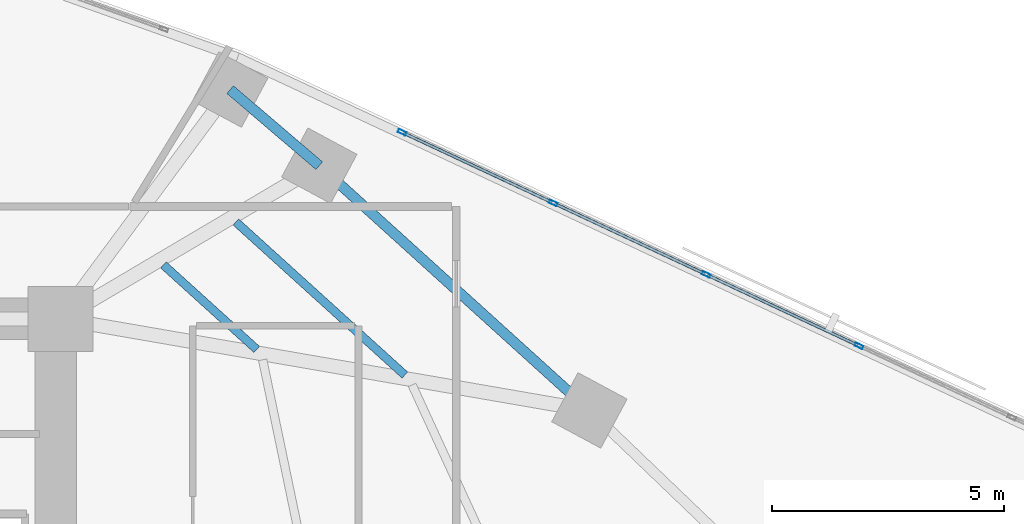
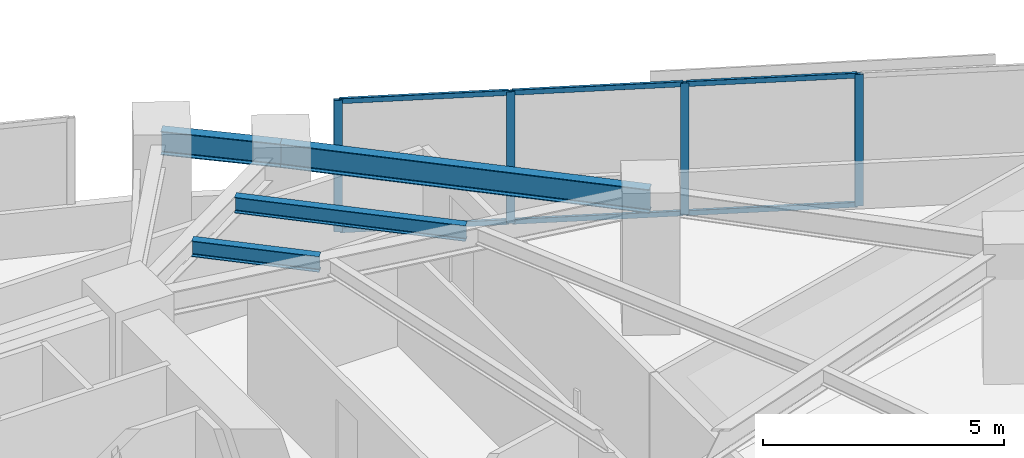
# One storey, part 4 of 16: 10 members, 4 beams, 1 element without a shape of its own.
"""IFC4 building model written with IfcOpenShell, lengths in metres."""

from ifc_helpers import new_model, si_unit, direction, frame, origin, origin_2d, place, context, subcontext, project, spatial, hollow_rectangle, i_section, extrude, material, material_profile, profile_set, type_object, element, aggregate, save


model = new_model("IFC4")

# Units and contexts
model_context = context("Model", 3, precision=1e-05, world=origin(), true_north=direction((0.0, 1.0)))
body_context = subcontext(model_context, "Body", "Model", "MODEL_VIEW")
ifc_project = project(units=[si_unit("LENGTHUNIT", "METRE"), si_unit("AREAUNIT", "SQUARE_METRE"), si_unit("VOLUMEUNIT", "CUBIC_METRE"), si_unit("PLANEANGLEUNIT", "RADIAN"), si_unit("MASSUNIT", "GRAM", prefix="KILO")], contexts=[model_context])

# Site, building, storey
site_placement = place(None, origin())
site = spatial("IfcSite", under=ifc_project, at=site_placement, CompositionType="ELEMENT")
building_placement = place(site_placement, origin())
building = spatial("IfcBuilding", under=site, at=building_placement, Name="Narakoshi Arena Tower", CompositionType="ELEMENT")
storey_placement = place(building_placement, frame((0.0, 0.0, 150.300048828125)))
storey = spatial("IfcBuildingStorey", under=building, at=storey_placement, Name="L40", CompositionType="ELEMENT", Elevation=150.300048828125)

# Beams
ifc_material_1 = material(Name="Structural steel S355J2", Category="steel")
ifc_material_profile_1 = material_profile(ifc_material_1, i_section(OverallWidth=0.219970703125, OverallDepth=0.60009765625, WebThickness=0.011962890625, FlangeThickness=0.01904296875, FilletRadius=0.02392578125, at=origin_2d()), Name="IPE600")
ifc_profile_set_1 = profile_set([ifc_material_profile_1], Name="Structural steel S355J2")
beam_type_1 = type_object("IfcBeamType", Name="BM-EDGE-600", PredefinedType="BEAM", material=ifc_profile_set_1)
beam_1_placement = place(storey_placement, frame((96.9443359375, 54.528076171875, 3.0400390625), z_axis=(-0.741140720169, 0.671349709844, 0.0), x_axis=(-0.671349709844, -0.741140720169, 0.0)))
element("IfcBeam", 1, at=beam_1_placement, inside=storey, type_object=beam_type_1, Name="L40 Perimeter Edge Girder 06", PredefinedType="BEAM", context=body_context, shape_type="SweptSolid", body=[
    extrude(i_section(OverallWidth=0.219970703125, OverallDepth=0.60009765625, WebThickness=0.011962890625, FlangeThickness=0.01904296875, FilletRadius=0.02392578125, at=origin_2d()), origin(), (0.0, 0.0, 1.0), 7.849853515625),
])
beam_2_placement = place(storey_placement, frame((91.12646484375, 59.798095703125, 3.0400390625), z_axis=(-0.760388602298, 0.649468377595, 0.0), x_axis=(-0.649468377595, -0.760388602298, 0.0)))
element("IfcBeam", 2, at=beam_2_placement, inside=storey, type_object=beam_type_1, Name="L40 Perimeter Edge Girder 07", PredefinedType="BEAM", context=body_context, shape_type="SweptSolid", body=[
    extrude(i_section(OverallWidth=0.219970703125, OverallDepth=0.60009765625, WebThickness=0.011962890625, FlangeThickness=0.01904296875, FilletRadius=0.02392578125, at=origin_2d()), origin(), (0.0, 0.0, 1.0), 2.524658203125),
])
ifc_material_profile_2 = material_profile(ifc_material_1, i_section(OverallWidth=0.179931640625, OverallDepth=0.39990234375, WebThickness=0.008544921875, FlangeThickness=0.013427734375, FilletRadius=0.02099609375, at=origin_2d()), Name="IPE400")
ifc_profile_set_2 = profile_set([ifc_material_profile_2], Name="Structural steel S355J2")
beam_type_2 = type_object("IfcBeamType", Name="BM-SEC-400", PredefinedType="JOIST", material=ifc_profile_set_2)
beam_3_placement = place(storey_placement, frame((89.77978515625, 55.84130859375, 3.139892578125), z_axis=(-0.741160441586, 0.671327937619, 0.0), x_axis=(-0.671327937619, -0.741160441586, 0.0)))
element("IfcBeam", 3, at=beam_3_placement, inside=storey, type_object=beam_type_2, Name="L40 Composite Secondary Floor Joist 05", PredefinedType="JOIST", context=body_context, shape_type="SweptSolid", body=[
    extrude(i_section(OverallWidth=0.179931640625, OverallDepth=0.39990234375, WebThickness=0.008544921875, FlangeThickness=0.013427734375, FilletRadius=0.02099609375, at=origin_2d()), origin(), (0.0, 0.0, 1.0), 2.712890625),
])
beam_4_placement = place(storey_placement, frame((92.97021484375, 55.289306640625, 3.139892578125), z_axis=(-0.741144631446, 0.67134539194, 0.0), x_axis=(-0.67134539194, -0.741144631446, 0.0)))
element("IfcBeam", 4, at=beam_4_placement, inside=storey, type_object=beam_type_2, Name="L40 Composite Secondary Floor Joist 06", PredefinedType="JOIST", context=body_context, shape_type="SweptSolid", body=[
    extrude(i_section(OverallWidth=0.179931640625, OverallDepth=0.39990234375, WebThickness=0.008544921875, FlangeThickness=0.013427734375, FilletRadius=0.02099609375, at=origin_2d()), origin(), (0.0, 0.0, 1.0), 4.910888671875),
])

# Curtain wall, members
ifc_material_2 = material(Name="Anodised bronze aluminium 6063-T6", Category="aluminium")
curtain_wall_type = type_object("IfcCurtainWallType", Name="CW-HYP-MID", PredefinedType="NOTDEFINED", material=ifc_material_2)
curtain_wall_placement = place(storey_placement, origin())
curtain_wall = element("IfcCurtainWall", 5, at=curtain_wall_placement, inside=storey, type_object=curtain_wall_type, Name="L40 Folded Hypotenuse Curtain Wall 1-1", PredefinedType="NOTDEFINED")
ifc_material_profile_3 = material_profile(ifc_material_2, hollow_rectangle(XDim=0.074951171875, YDim=0.179931640625, WallThickness=0.00390625, OuterFilletRadius=0.0048828125, at=origin_2d()), Name="MUL180x75x4")
ifc_profile_set_3 = profile_set([ifc_material_profile_3], Name="Anodised bronze aluminium 6063-T6")
member_type_1 = type_object("IfcMemberType", Name="MEM-MUL-180", PredefinedType="MULLION", material=ifc_profile_set_3)
member_1_placement = place(storey_placement, frame((102.75048828125, 55.917236328125, 0.0), z_axis=(0.0, 0.0, 1.0), x_axis=(-0.423531721612, -0.905881273009, 0.0)))
member_1 = element("IfcMember", 6, at=member_1_placement, type_object=member_type_1, Name="CW-02 mullion 6", PredefinedType="MULLION", context=body_context, shape_type="SweptSolid", body=[
    extrude(hollow_rectangle(XDim=0.074951171875, YDim=0.179931640625, WallThickness=0.00390625, OuterFilletRadius=0.0048828125, at=origin_2d()), origin(), (0.0, 0.0, 1.0), 3.33984375),
])
member_2_placement = place(storey_placement, frame((99.458984375, 57.4560546875, 0.0), z_axis=(0.0, 0.0, 1.0), x_axis=(-0.423531721612, -0.905881273009, 0.0)))
member_2 = element("IfcMember", 7, at=member_2_placement, type_object=member_type_1, Name="CW-02 mullion 7", PredefinedType="MULLION", context=body_context, shape_type="SweptSolid", body=[
    extrude(hollow_rectangle(XDim=0.074951171875, YDim=0.179931640625, WallThickness=0.00390625, OuterFilletRadius=0.0048828125, at=origin_2d()), origin(), (0.0, 0.0, 1.0), 3.33984375),
])
member_3_placement = place(storey_placement, frame((96.16748046875, 58.994873046875, 0.0), z_axis=(0.0, 0.0, 1.0), x_axis=(-0.423531721612, -0.905881273009, 0.0)))
member_3 = element("IfcMember", 8, at=member_3_placement, type_object=member_type_1, Name="CW-02 mullion 8", PredefinedType="MULLION", context=body_context, shape_type="SweptSolid", body=[
    extrude(hollow_rectangle(XDim=0.074951171875, YDim=0.179931640625, WallThickness=0.00390625, OuterFilletRadius=0.0048828125, at=origin_2d()), origin(), (0.0, 0.0, 1.0), 3.33984375),
])
member_4_placement = place(storey_placement, frame((92.91015625, 60.517822265625, 0.0), z_axis=(0.0, 0.0, 1.0), x_axis=(-0.423531721612, -0.905881273009, 0.0)))
member_4 = element("IfcMember", 9, at=member_4_placement, type_object=member_type_1, Name="CW-02 mullion 9", PredefinedType="MULLION", context=body_context, shape_type="SweptSolid", body=[
    extrude(hollow_rectangle(XDim=0.074951171875, YDim=0.179931640625, WallThickness=0.00390625, OuterFilletRadius=0.0048828125, at=origin_2d()), origin(), (0.0, 0.0, 1.0), 3.33984375),
])
ifc_material_profile_4 = material_profile(ifc_material_2, hollow_rectangle(XDim=0.06494140625, YDim=0.1298828125, WallThickness=0.00390625, OuterFilletRadius=0.0048828125, at=origin_2d()), Name="TRN130x65x4")
ifc_profile_set_4 = profile_set([ifc_material_profile_4], Name="Anodised bronze aluminium 6063-T6")
member_type_2 = type_object("IfcMemberType", Name="MEM-TRN-130", PredefinedType="USERDEFINED", material=ifc_profile_set_4)
member_5_placement = place(storey_placement, frame((102.716552734375, 55.93310546875, 0.032470703125), z_axis=(-0.905877908574, 0.423538917642, 0.0), x_axis=(-0.423538917642, -0.905877908574, 0.0)))
member_5 = element("IfcMember", 10, at=member_5_placement, type_object=member_type_2, Name="CW-02 transom 6.1", ObjectType="TRANSOM", PredefinedType="USERDEFINED", context=body_context, shape_type="SweptSolid", body=[
    extrude(hollow_rectangle(XDim=0.06494140625, YDim=0.1298828125, WallThickness=0.00390625, OuterFilletRadius=0.0048828125, at=origin_2d()), origin(), (0.0, 0.0, 1.0), 3.558349609375),
])
member_6_placement = place(storey_placement, frame((102.716552734375, 55.93310546875, 3.307373046875), z_axis=(-0.905877908574, 0.423538917642, 0.0), x_axis=(-0.423538917642, -0.905877908574, 0.0)))
member_6 = element("IfcMember", 11, at=member_6_placement, type_object=member_type_2, Name="CW-02 transom 6.2", ObjectType="TRANSOM", PredefinedType="USERDEFINED", context=body_context, shape_type="SweptSolid", body=[
    extrude(hollow_rectangle(XDim=0.06494140625, YDim=0.1298828125, WallThickness=0.00390625, OuterFilletRadius=0.0048828125, at=origin_2d()), origin(), (0.0, 0.0, 1.0), 3.558349609375),
])
member_7_placement = place(storey_placement, frame((99.425048828125, 57.471923828125, 0.032470703125), z_axis=(-0.905877908574, 0.423538917642, 0.0), x_axis=(-0.423538917642, -0.905877908574, 0.0)))
member_7 = element("IfcMember", 12, at=member_7_placement, type_object=member_type_2, Name="CW-02 transom 7.1", ObjectType="TRANSOM", PredefinedType="USERDEFINED", context=body_context, shape_type="SweptSolid", body=[
    extrude(hollow_rectangle(XDim=0.06494140625, YDim=0.1298828125, WallThickness=0.00390625, OuterFilletRadius=0.0048828125, at=origin_2d()), origin(), (0.0, 0.0, 1.0), 3.558349609375),
])
member_8_placement = place(storey_placement, frame((99.425048828125, 57.471923828125, 3.307373046875), z_axis=(-0.905877908574, 0.423538917642, 0.0), x_axis=(-0.423538917642, -0.905877908574, 0.0)))
member_8 = element("IfcMember", 13, at=member_8_placement, type_object=member_type_2, Name="CW-02 transom 7.2", ObjectType="TRANSOM", PredefinedType="USERDEFINED", context=body_context, shape_type="SweptSolid", body=[
    extrude(hollow_rectangle(XDim=0.06494140625, YDim=0.1298828125, WallThickness=0.00390625, OuterFilletRadius=0.0048828125, at=origin_2d()), origin(), (0.0, 0.0, 1.0), 3.558349609375),
])
member_9_placement = place(storey_placement, frame((96.133544921875, 59.0107421875, 0.032470703125), z_axis=(-0.9058782068, 0.423538279787, 0.0), x_axis=(-0.423538279787, -0.9058782068, 0.0)))
member_9 = element("IfcMember", 14, at=member_9_placement, type_object=member_type_2, Name="CW-02 transom 8.1", ObjectType="TRANSOM", PredefinedType="USERDEFINED", context=body_context, shape_type="SweptSolid", body=[
    extrude(hollow_rectangle(XDim=0.06494140625, YDim=0.1298828125, WallThickness=0.00390625, OuterFilletRadius=0.0048828125, at=origin_2d()), origin(), (0.0, 0.0, 1.0), 3.520751953125),
])
member_10_placement = place(storey_placement, frame((96.133544921875, 59.0107421875, 3.307373046875), z_axis=(-0.9058782068, 0.423538279787, 0.0), x_axis=(-0.423538279787, -0.9058782068, 0.0)))
member_10 = element("IfcMember", 15, at=member_10_placement, type_object=member_type_2, Name="CW-02 transom 8.2", ObjectType="TRANSOM", PredefinedType="USERDEFINED", context=body_context, shape_type="SweptSolid", body=[
    extrude(hollow_rectangle(XDim=0.06494140625, YDim=0.1298828125, WallThickness=0.00390625, OuterFilletRadius=0.0048828125, at=origin_2d()), origin(), (0.0, 0.0, 1.0), 3.520751953125),
])
aggregate(curtain_wall, [member_1, member_2, member_3, member_4, member_5, member_6, member_7, member_8, member_9, member_10])

save(model, "model.ifc")
